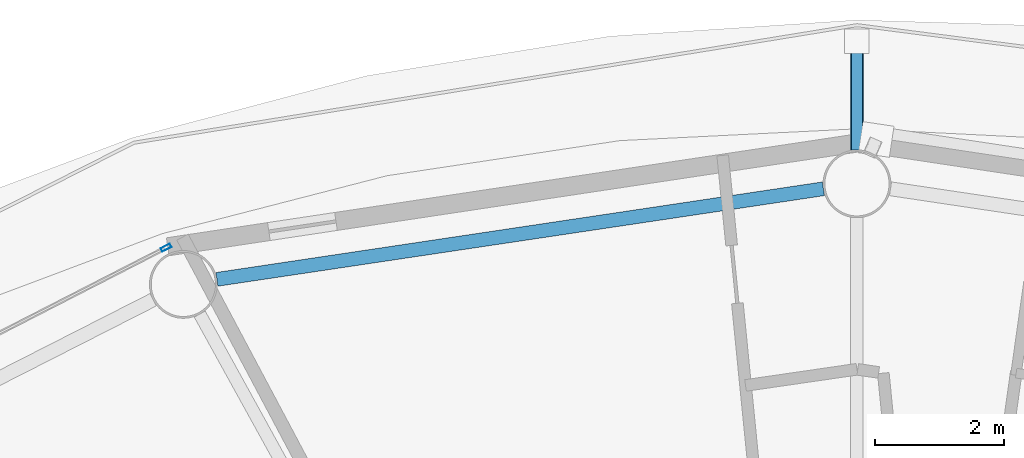
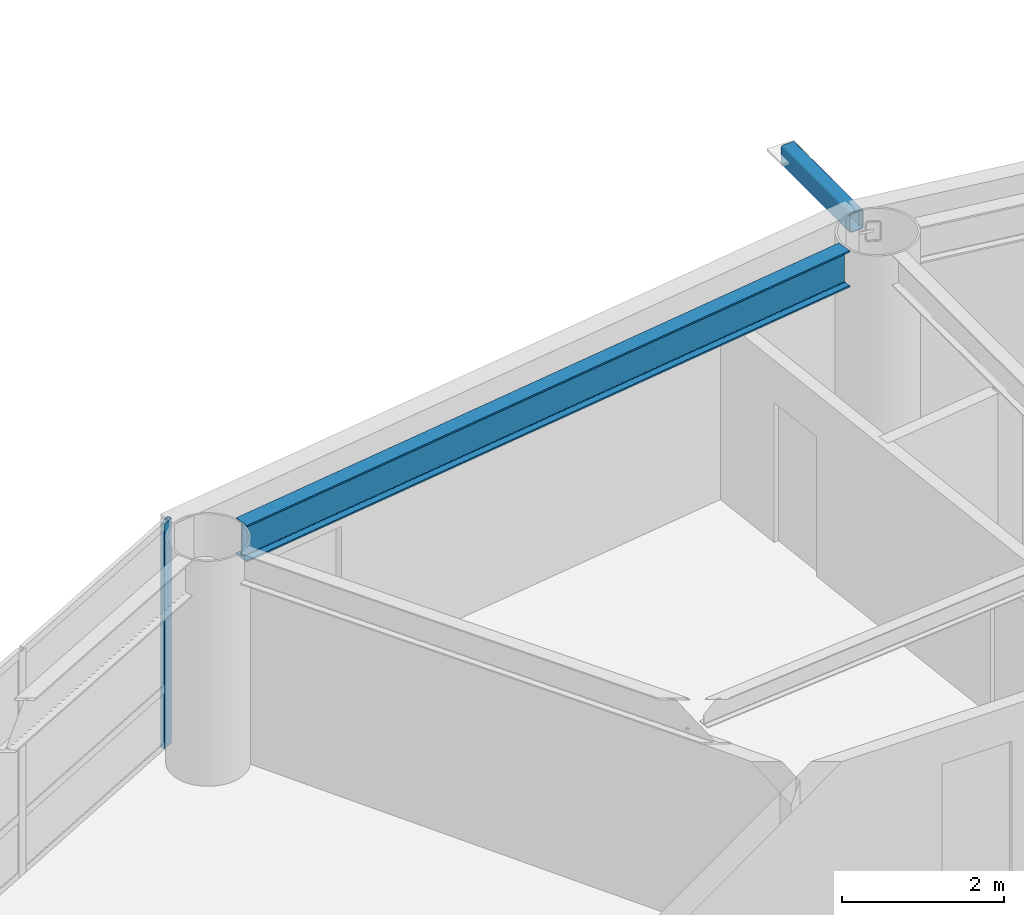
# One storey, part 13 of 28: 2 members, 1 beam, 1 element without a shape of its own.
"""IFC4 building model written with IfcOpenShell, lengths in metres."""

from ifc_helpers import new_model, si_unit, direction, frame, origin, origin_2d, place, context, subcontext, project, spatial, hollow_rectangle, i_section, extrude, material, layer, layer_set, material_profile, profile_set, type_object, element, aggregate, save


model = new_model("IFC4")

# Units and contexts
model_context = context("Model", 3, precision=1e-05, world=origin(), true_north=direction((0.0, 1.0)))
body_context = subcontext(model_context, "Body", "Model", "MODEL_VIEW")
ifc_project = project(units=[si_unit("LENGTHUNIT", "METRE"), si_unit("AREAUNIT", "SQUARE_METRE"), si_unit("VOLUMEUNIT", "CUBIC_METRE"), si_unit("PLANEANGLEUNIT", "RADIAN"), si_unit("MASSUNIT", "GRAM", prefix="KILO")], contexts=[model_context])

# Site, building, storey
site_placement = place(None, origin())
site = spatial("IfcSite", under=ifc_project, at=site_placement, CompositionType="ELEMENT")
building_placement = place(site_placement, origin())
building = spatial("IfcBuilding", under=site, at=building_placement, Name="Sarneth Arch Tower", CompositionType="ELEMENT")
storey_placement = place(building_placement, frame((0.0, 0.0, 154.199951171875)))
storey = spatial("IfcBuildingStorey", under=building, at=storey_placement, Name="L38", CompositionType="ELEMENT", Elevation=154.199951171875)

# Beam
ifc_material_1 = material(Name="Steel S355", Category="steel")
ifc_material_profile_1 = material_profile(ifc_material_1, i_section(OverallWidth=0.214111328125, OverallDepth=0.549072265625, WebThickness=0.0146484375, FlangeThickness=0.023681640625, FilletRadius=0.01806640625, at=origin_2d()), Name="W530x138")
ifc_profile_set_1 = profile_set([ifc_material_profile_1], Name="Steel S355")
beam_type = type_object("IfcBeamType", Name="BM-RAD-530A", PredefinedType="BEAM", material=ifc_profile_set_1)
beam_placement = place(storey_placement, frame((47.480712890625, 62.37255859375, 3.10546875), z_axis=(-0.989027145133, -0.14773390332, 0.0), x_axis=(0.14773390332, -0.989027145133, 0.0)))
element("IfcBeam", 1, at=beam_placement, inside=storey, type_object=beam_type, Name="L38 Perimeter spandrel beam 05", PredefinedType="BEAM", context=body_context, shape_type="SweptSolid", body=[
    extrude(i_section(OverallWidth=0.214111328125, OverallDepth=0.549072265625, WebThickness=0.0146484375, FlangeThickness=0.023681640625, FilletRadius=0.01806640625, at=origin_2d()), origin(), (0.0, 0.0, 1.0), 9.4873046875),
])

# Curtain wall, member
ifc_material_2 = material(Name="Anodised aluminium Type AA25 and solar-control low-e laminated IGU", Category="aluminium")
ifc_layer = layer(ifc_material_2, 0.169921875)
ifc_layer_set = layer_set([ifc_layer], Name="Anodised aluminium Type AA25 and solar-control low-e laminated IGU")
curtain_wall_type = type_object("IfcCurtainWallType", Name="CW-RES-MID", PredefinedType="NOTDEFINED", material=ifc_layer_set)
curtain_wall_placement = place(storey_placement, origin())
curtain_wall = element("IfcCurtainWall", 2, at=curtain_wall_placement, inside=storey, type_object=curtain_wall_type, Name="L38 Unitised curtain wall facet 06", PredefinedType="NOTDEFINED")
ifc_material_3 = material(Name="Anodised Aluminium 6063-T6", Category="aluminium")
ifc_material_profile_2 = material_profile(ifc_material_3, hollow_rectangle(XDim=0.06005859375, YDim=0.159912109375, WallThickness=0.00390625, at=origin_2d()), Name="AL-MULL-160x60x4")
ifc_profile_set_2 = profile_set([ifc_material_profile_2], Name="Anodised Aluminium 6063-T6")
member_type_1 = type_object("IfcMemberType", Name="CW-MULLION", PredefinedType="MULLION", material=ifc_profile_set_2)
member_1_placement = place(storey_placement, frame((37.310546875, 61.461669921875, 0.0), z_axis=(0.0, 0.0, 1.0), x_axis=(0.456208470329, -0.88987293003, 0.0)))
member_1 = element("IfcMember", 3, at=member_1_placement, type_object=member_type_1, Name="CW-SYS-5 mullion 1", PredefinedType="MULLION", context=body_context, shape_type="SweptSolid", body=[
    extrude(hollow_rectangle(XDim=0.06005859375, YDim=0.159912109375, WallThickness=0.00390625, at=origin_2d()), origin(), (0.0, 0.0, 1.0), 3.380126953125),
])
aggregate(curtain_wall, [member_1])

# Member
ifc_material_4 = material(Name="Steel S355", Category="steel")
ifc_material_profile_3 = material_profile(ifc_material_4, hollow_rectangle(XDim=0.199951171875, YDim=0.300048828125, WallThickness=0.012451171875, InnerFilletRadius=0.018798828125, OuterFilletRadius=0.03125, at=origin_2d()), Name="RHS300x200x12.5")
ifc_profile_set_3 = profile_set([ifc_material_profile_3], Name="Steel S355")
member_type_2 = type_object("IfcMemberType", Name="MEM-CANT-STRUT", PredefinedType="STRUT", material=ifc_profile_set_3)
member_2_placement = place(storey_placement, frame((48.0, 62.97509765625, 3.219970703125), z_axis=(0.0, 1.0, 0.0), x_axis=(-1.0, 0.0, 0.0)))
element("IfcMember", 4, at=member_2_placement, inside=storey, type_object=member_type_2, Name="L38 Balcony cantilever bracket 05", PredefinedType="STRUT", context=body_context, shape_type="SweptSolid", body=[
    extrude(hollow_rectangle(XDim=0.199951171875, YDim=0.300048828125, WallThickness=0.012451171875, InnerFilletRadius=0.018798828125, OuterFilletRadius=0.03125, at=origin_2d()), origin(), (0.0, 0.0, 1.0), 1.6806640625),
])

save(model, "model.ifc")
